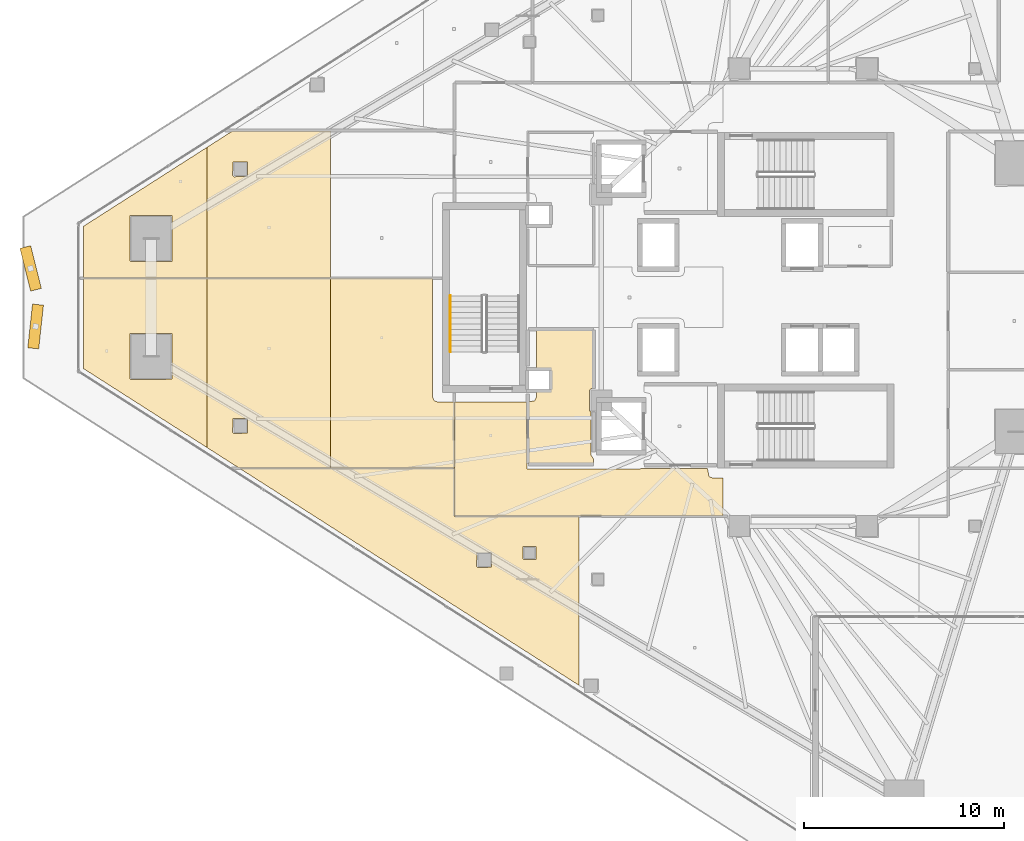
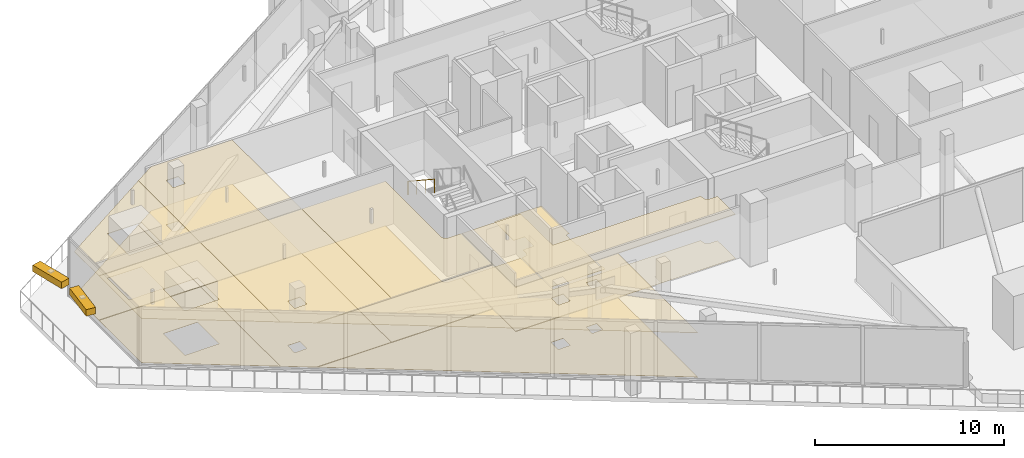
# One storey, part 36 of 43: 15 coverings, 2 shading devices, 1 railing.
"""IFC4 building model written with IfcOpenShell, lengths in metres."""

from ifc_helpers import new_model, si_unit, direction, frame, origin, origin_2d, place, context, subcontext, project, spatial, polyline, rectangle, circle, outline, extrude, material, layer, layer_set, type_object, element, save


model = new_model("IFC4")

# Units and contexts
model_context = context("Model", 3, precision=1e-05, world=origin(), true_north=direction((0.0, 1.0)))
body_context = subcontext(model_context, "Body", "Model", "MODEL_VIEW")
ifc_project = project(units=[si_unit("LENGTHUNIT", "METRE"), si_unit("AREAUNIT", "SQUARE_METRE"), si_unit("VOLUMEUNIT", "CUBIC_METRE"), si_unit("PLANEANGLEUNIT", "RADIAN"), si_unit("MASSUNIT", "GRAM", prefix="KILO")], contexts=[model_context])

# Site, building, storey
site_placement = place(None, origin())
site = spatial("IfcSite", under=ifc_project, at=site_placement, CompositionType="ELEMENT")
building_placement = place(site_placement, origin())
building = spatial("IfcBuilding", under=site, at=building_placement, Name="Qorvath Tower", CompositionType="ELEMENT")
storey_placement = place(building_placement, frame((0.0, 0.0, 150.300048828125)))
storey = spatial("IfcBuildingStorey", under=building, at=storey_placement, Name="L34", CompositionType="ELEMENT", Elevation=150.300048828125)

# Coverings
ifc_material_1 = material(Name="Acoustic mineral fibre ceiling tile", Category="gypsum")
ifc_layer_1 = layer(ifc_material_1, 0.030029296875)
ifc_layer_set_1 = layer_set([ifc_layer_1], Name="COV-CEIL")
covering_type_1 = type_object("IfcCoveringType", Name="COV-CEIL", PredefinedType="CEILING", material=ifc_layer_set_1)
covering_1_placement = place(storey_placement, frame((0.0, 0.0, 2.849853515625)))
element("IfcCovering", 1, at=covering_1_placement, inside=storey, type_object=covering_type_1, Name="L34 Suspended Acoustic Ceiling 006", PredefinedType="CEILING", context=body_context, shape_type="SweptSolid", body=[
    extrude(outline(polyline([(-34.22509765625, -8.580078125), (-34.251220703125, -5.239990234375), (-37.844970703125, -5.239990234375), (-37.844970703125, -10.945068359375), (-24.421142578125, -10.945068359375), (-24.421142578125, -9.0400390625), (-24.93994140625, -9.0400390625), (-25.11669921875, -8.966796875), (-25.18994140625, -8.57421875), (-34.22509765625, -8.580078125)])), origin(), (0.0, 0.0, 1.0), 0.030029296875),
])
covering_2_placement = place(storey_placement, frame((0.0, 0.0, 2.849853515625)))
element("IfcCovering", 2, at=covering_2_placement, inside=storey, type_object=covering_type_1, Name="L34 Suspended Acoustic Ceiling 017", PredefinedType="CEILING", context=body_context, shape_type="SweptSolid", body=[
    extrude(outline(polyline([(-31.611328125, -19.425048828125), (-31.611328125, -10.962890625), (-37.85791015625, -10.962890625), (-37.863037109375, -8.554931640625), (-48.619140625, -8.554931640625), (-31.611328125, -19.425048828125)]), holes=[polyline([(-34.439208984375, -13.0673828125), (-34.421630859375, -12.47509765625), (-33.786865234375, -12.47509765625), (-33.786865234375, -13.10986328125), (-34.379150390625, -13.12744140625), (-34.439208984375, -13.0673828125)]), polyline([(-36.749755859375, -13.46044921875), (-36.732177734375, -12.76806640625), (-35.997314453125, -12.76806640625), (-35.997314453125, -13.5029296875), (-36.689697265625, -13.5205078125), (-36.749755859375, -13.46044921875)])]), origin(), (0.0, 0.0, 1.0), 0.030029296875),
])
covering_3_placement = place(storey_placement, frame((0.0, 0.0, 2.849853515625)))
element("IfcCovering", 3, at=covering_3_placement, inside=storey, type_object=covering_type_1, Name="L34 Suspended Acoustic Ceiling 027", PredefinedType="CEILING", context=body_context, shape_type="SweptSolid", body=[
    extrude(outline(polyline([(-50.240234375, -7.518798828125), (-50.240234375, 0.9482421875), (-56.4287109375, 0.9482421875), (-56.4287109375, -3.5634765625), (-50.240234375, -7.518798828125)]), holes=[polyline([(-54.109375, -4.05078125), (-54.091796875, -1.808349609375), (-52.007080078125, -1.808349609375), (-52.007080078125, -4.09326171875), (-54.04931640625, -4.11083984375), (-54.109375, -4.05078125)])]), origin(), (0.0, 0.0, 1.0), 0.030029296875),
])
covering_4_placement = place(storey_placement, frame((0.0, 0.0, 2.849853515625)))
element("IfcCovering", 4, at=covering_4_placement, inside=storey, type_object=covering_type_1, Name="L34 Suspended Acoustic Ceiling 028", PredefinedType="CEILING", context=body_context, shape_type="SweptSolid", body=[
    extrude(outline(polyline([(-44.051513671875, -8.537109375), (-44.051513671875, 0.9482421875), (-50.240234375, 0.9482421875), (-50.240234375, -7.518798828125), (-48.647216796875, -8.537109375), (-44.051513671875, -8.537109375)]), holes=[polyline([(-48.96337890625, -6.74951171875), (-48.94580078125, -6.05712890625), (-48.2109375, -6.05712890625), (-48.2109375, -6.7919921875), (-48.9033203125, -6.8095703125), (-48.96337890625, -6.74951171875)])]), origin(), (0.0, 0.0, 1.0), 0.030029296875),
])
covering_5_placement = place(storey_placement, frame((0.0, 0.0, 2.849853515625)))
element("IfcCovering", 5, at=covering_5_placement, inside=storey, type_object=covering_type_1, Name="L34 Suspended Acoustic Ceiling 029", PredefinedType="CEILING", context=body_context, shape_type="SweptSolid", body=[
    extrude(outline(polyline([(-38.949951171875, 0.9482421875), (-44.051513671875, 0.9482421875), (-44.051513671875, -8.537109375), (-37.863037109375, -8.537109375), (-37.863037109375, -5.239990234375), (-38.699951171875, -5.239990234375), (-38.876708984375, -5.166748046875), (-38.949951171875, -4.989990234375), (-38.949951171875, 0.9482421875)])), origin(), (0.0, 0.0, 1.0), 0.030029296875),
])
covering_6_placement = place(storey_placement, frame((0.0, 0.0, 2.849853515625)))
element("IfcCovering", 6, at=covering_6_placement, inside=storey, type_object=covering_type_1, Name="L34 Suspended Acoustic Ceiling 030", PredefinedType="CEILING", context=body_context, shape_type="SweptSolid", body=[
    extrude(outline(polyline([(-50.240234375, 0.96630859375), (-50.240234375, 7.518798828125), (-56.4287109375, 3.5634765625), (-56.4287109375, 0.96630859375), (-50.240234375, 0.96630859375)]), holes=[polyline([(-54.109375, 1.850830078125), (-54.091796875, 4.09326171875), (-52.007080078125, 4.09326171875), (-52.007080078125, 1.808349609375), (-54.04931640625, 1.790771484375), (-54.109375, 1.850830078125)])]), origin(), (0.0, 0.0, 1.0), 0.030029296875),
])
covering_7_placement = place(storey_placement, frame((0.0, 0.0, 2.849853515625)))
element("IfcCovering", 7, at=covering_7_placement, inside=storey, type_object=covering_type_1, Name="L34 Suspended Acoustic Ceiling 031", PredefinedType="CEILING", context=body_context, shape_type="SweptSolid", body=[
    extrude(outline(polyline([(-44.051513671875, 0.96630859375), (-44.051513671875, 8.3369140625), (-48.960205078125, 8.3369140625), (-50.240234375, 7.518798828125), (-50.240234375, 0.96630859375), (-44.051513671875, 0.96630859375)]), holes=[polyline([(-48.96337890625, 6.099609375), (-48.94580078125, 6.7919921875), (-48.2109375, 6.7919921875), (-48.2109375, 6.05712890625), (-48.9033203125, 6.03955078125), (-48.96337890625, 6.099609375)])]), origin(), (0.0, 0.0, 1.0), 0.030029296875),
])
ifc_material_2 = material(Name="Low-VOC modular carpet tile", Category="textile")
ifc_layer_2 = layer(ifc_material_2, 0.014892578125)
ifc_layer_set_2 = layer_set([ifc_layer_2], Name="COV-FLOOR-CPT")
covering_type_2 = type_object("IfcCoveringType", Name="COV-FLOOR-CPT", PredefinedType="FLOORING", material=ifc_layer_set_2)
covering_8_placement = place(storey_placement, origin())
element("IfcCovering", 8, at=covering_8_placement, inside=storey, type_object=covering_type_2, Name="L34 Floor Finish 005", PredefinedType="FLOORING", context=body_context, shape_type="SweptSolid", body=[
    extrude(outline(polyline([(-30.885009765625, -1.60498046875), (-33.760009765625, -1.60498046875), (-33.760009765625, -3.636962890625), (-33.08837890625, -3.638427734375), (-33.0869140625, -4.6279296875), (-33.760009765625, -4.633056640625), (-33.760009765625, -4.989990234375), (-33.833251953125, -5.166748046875), (-34.175048828125, -5.239990234375), (-34.175048828125, -8.344970703125), (-30.885009765625, -8.344970703125), (-30.885009765625, -8.108154296875), (-31.010009765625, -7.909912109375), (-31.010009765625, -5.735107421875), (-31.0849609375, -5.675048828125), (-31.0849609375, -4.625), (-31.02490234375, -4.56494140625), (-30.885009765625, -4.56494140625), (-30.885009765625, -1.60498046875)])), origin(), (0.0, 0.0, 1.0), 0.014892578125),
])
covering_9_placement = place(storey_placement, origin())
element("IfcCovering", 9, at=covering_9_placement, inside=storey, type_object=covering_type_2, Name="L34 Floor Finish 017", PredefinedType="FLOORING", context=body_context, shape_type="SweptSolid", body=[
    extrude(outline(polyline([(-31.611328125, -19.425048828125), (-31.611328125, -10.962890625), (-37.85791015625, -10.962890625), (-37.863037109375, -8.554931640625), (-48.619140625, -8.554931640625), (-31.611328125, -19.425048828125)]), holes=[polyline([(-34.439208984375, -13.0673828125), (-34.421630859375, -12.47509765625), (-33.786865234375, -12.47509765625), (-33.786865234375, -13.10986328125), (-34.379150390625, -13.12744140625), (-34.439208984375, -13.0673828125)]), polyline([(-36.749755859375, -13.46044921875), (-36.732177734375, -12.76806640625), (-35.997314453125, -12.76806640625), (-35.997314453125, -13.5029296875), (-36.689697265625, -13.5205078125), (-36.749755859375, -13.46044921875)])]), origin(), (0.0, 0.0, 1.0), 0.014892578125),
])
covering_10_placement = place(storey_placement, origin())
element("IfcCovering", 10, at=covering_10_placement, inside=storey, type_object=covering_type_2, Name="L34 Floor Finish 027", PredefinedType="FLOORING", context=body_context, shape_type="SweptSolid", body=[
    extrude(outline(polyline([(-50.240234375, -7.518798828125), (-50.240234375, 0.9482421875), (-56.4287109375, 0.9482421875), (-56.4287109375, -3.5634765625), (-50.240234375, -7.518798828125)]), holes=[polyline([(-54.109375, -4.05078125), (-54.091796875, -1.808349609375), (-52.007080078125, -1.808349609375), (-52.007080078125, -4.09326171875), (-54.04931640625, -4.11083984375), (-54.109375, -4.05078125)])]), origin(), (0.0, 0.0, 1.0), 0.014892578125),
])
covering_11_placement = place(storey_placement, origin())
element("IfcCovering", 11, at=covering_11_placement, inside=storey, type_object=covering_type_2, Name="L34 Floor Finish 028", PredefinedType="FLOORING", context=body_context, shape_type="SweptSolid", body=[
    extrude(outline(polyline([(-44.051513671875, -8.537109375), (-44.051513671875, 0.9482421875), (-50.240234375, 0.9482421875), (-50.240234375, -7.518798828125), (-48.647216796875, -8.537109375), (-44.051513671875, -8.537109375)]), holes=[polyline([(-48.96337890625, -6.74951171875), (-48.94580078125, -6.05712890625), (-48.2109375, -6.05712890625), (-48.2109375, -6.7919921875), (-48.9033203125, -6.8095703125), (-48.96337890625, -6.74951171875)])]), origin(), (0.0, 0.0, 1.0), 0.014892578125),
])
covering_12_placement = place(storey_placement, origin())
element("IfcCovering", 12, at=covering_12_placement, inside=storey, type_object=covering_type_2, Name="L34 Floor Finish 029", PredefinedType="FLOORING", context=body_context, shape_type="SweptSolid", body=[
    extrude(outline(polyline([(-38.949951171875, 0.9482421875), (-44.051513671875, 0.9482421875), (-44.051513671875, -8.537109375), (-37.863037109375, -8.537109375), (-37.863037109375, -5.239990234375), (-38.699951171875, -5.239990234375), (-38.876708984375, -5.166748046875), (-38.949951171875, -4.989990234375), (-38.949951171875, 0.9482421875)])), origin(), (0.0, 0.0, 1.0), 0.014892578125),
])
covering_13_placement = place(storey_placement, origin())
element("IfcCovering", 13, at=covering_13_placement, inside=storey, type_object=covering_type_2, Name="L34 Floor Finish 030", PredefinedType="FLOORING", context=body_context, shape_type="SweptSolid", body=[
    extrude(outline(polyline([(-50.240234375, 0.96630859375), (-50.240234375, 7.518798828125), (-56.4287109375, 3.5634765625), (-56.4287109375, 0.96630859375), (-50.240234375, 0.96630859375)]), holes=[polyline([(-54.109375, 1.850830078125), (-54.091796875, 4.09326171875), (-52.007080078125, 4.09326171875), (-52.007080078125, 1.808349609375), (-54.04931640625, 1.790771484375), (-54.109375, 1.850830078125)])]), origin(), (0.0, 0.0, 1.0), 0.014892578125),
])
covering_14_placement = place(storey_placement, origin())
element("IfcCovering", 14, at=covering_14_placement, inside=storey, type_object=covering_type_2, Name="L34 Floor Finish 031", PredefinedType="FLOORING", context=body_context, shape_type="SweptSolid", body=[
    extrude(outline(polyline([(-44.051513671875, 0.96630859375), (-44.051513671875, 8.3369140625), (-48.960205078125, 8.3369140625), (-50.240234375, 7.518798828125), (-50.240234375, 0.96630859375), (-44.051513671875, 0.96630859375)]), holes=[polyline([(-48.96337890625, 6.099609375), (-48.94580078125, 6.7919921875), (-48.2109375, 6.7919921875), (-48.2109375, 6.05712890625), (-48.9033203125, 6.03955078125), (-48.96337890625, 6.099609375)])]), origin(), (0.0, 0.0, 1.0), 0.014892578125),
])
ifc_material_3 = material(Name="Polished epoxy terrazzo flooring", Category="concrete")
ifc_layer_3 = layer(ifc_material_3, 0.02001953125)
ifc_layer_set_3 = layer_set([ifc_layer_3], Name="COV-FLOOR-TRZ")
covering_type_3 = type_object("IfcCoveringType", Name="COV-FLOOR-TRZ", PredefinedType="FLOORING", material=ifc_layer_set_3)
covering_15_placement = place(storey_placement, origin())
element("IfcCovering", 15, at=covering_15_placement, inside=storey, type_object=covering_type_3, Name="L34 Floor Finish 006", PredefinedType="FLOORING", context=body_context, shape_type="SweptSolid", body=[
    extrude(outline(polyline([(-34.22509765625, -8.580078125), (-34.251220703125, -5.239990234375), (-37.844970703125, -5.239990234375), (-37.844970703125, -10.945068359375), (-24.421142578125, -10.945068359375), (-24.421142578125, -9.0400390625), (-24.93994140625, -9.0400390625), (-25.11669921875, -8.966796875), (-25.18994140625, -8.57421875), (-34.22509765625, -8.580078125)])), origin(), (0.0, 0.0, 1.0), 0.014892578125),
])

# Railing
ifc_material_4 = material(Name="Brushed stainless steel AISI 304", Category="steel")
railing_type = type_object("IfcRailingType", Name="RL-STR-HND", PredefinedType="HANDRAIL", material=ifc_material_4)
railing_placement = place(storey_placement, frame((-38.06005859375, 0.080078125, 2.208984375)))
element("IfcRailing", 16, at=railing_placement, inside=storey, type_object=railing_type, Name="L34 TS3 stair handrail 2", PredefinedType="HANDRAIL", context=body_context, shape_type="SweptSolid", body=[
    extrude(circle(Radius=0.02392578125, at=origin_2d()), frame((0.0, 0.0, 0.8759765625), z_axis=(0.0, -0.83556406348, 0.549393024911), x_axis=(1.0, 0.0, 0.0)), (0.0, 0.0, 1.0), 3.35107421875),
    extrude(circle(Radius=0.02099609375, at=origin_2d()), origin(), (0.0, 0.0, 1.0), 0.851806640625),
    extrude(circle(Radius=0.02099609375, at=origin_2d()), frame((0.0, -0.933349609375, 0.61376953125)), (0.0, 0.0, 1.0), 0.851806640625),
    extrude(circle(Radius=0.02099609375, at=origin_2d()), frame((0.0, -1.86669921875, 1.227294921875)), (0.0, 0.0, 1.0), 0.851806640625),
    extrude(circle(Radius=0.02099609375, at=origin_2d()), frame((0.0, -2.800048828125, 1.841064453125)), (0.0, 0.0, 1.0), 0.851806640625),
])

# Shading devices
ifc_material_5 = material(Name="Anodised bronze-champagne aluminium", Category="aluminium")
shading_device_type = type_object("IfcShadingDeviceType", Name="SD-LOUVRE", PredefinedType="JALOUSIE", material=ifc_material_5)
for number, where, z_axis, x_axis, name in (
    (17, (-59.0751953125, 1.453125, 3.360107421875), (0.0, 0.0, 1.0), (0.2419218956, -0.970295726276, 0.0), "Sinusoidal Wave Louvre Blade L34-01"),
    (18, (-58.826171875, -1.453125, 3.360107421875), (0.0, 0.0, 1.0), (-0.108193687166, -0.994129833602, 0.0), "Sinusoidal Wave Louvre Blade L34-02"),
):
    element("IfcShadingDevice", number, at=place(storey_placement, frame(where, z_axis=z_axis, x_axis=x_axis)), inside=storey, type_object=shading_device_type, Name=name, PredefinedType="NOTDEFINED", context=body_context, shape_type="SweptSolid", body=[
        extrude(rectangle(XDim=2.199951171875, YDim=0.550048828125, at=origin_2d()), origin(), (0.0, 0.0, 1.0), 0.419921875),
    ])

save(model, "model.ifc")
